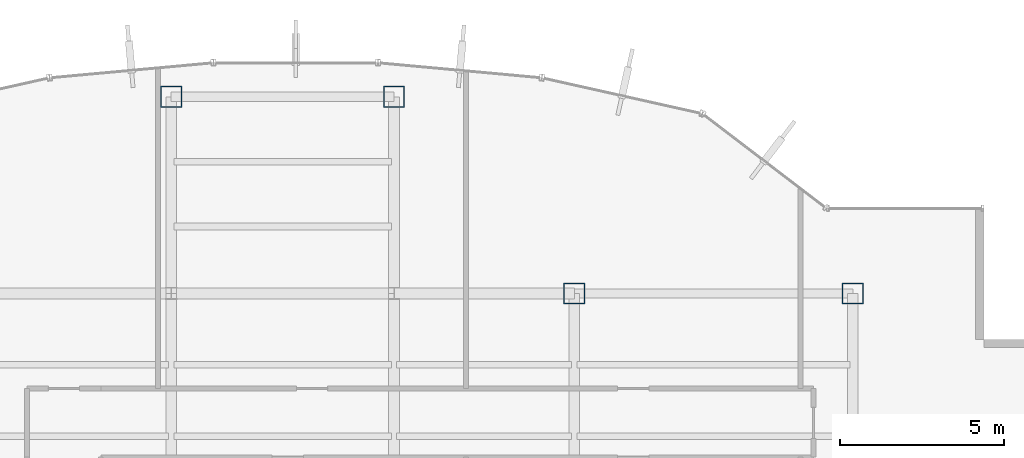
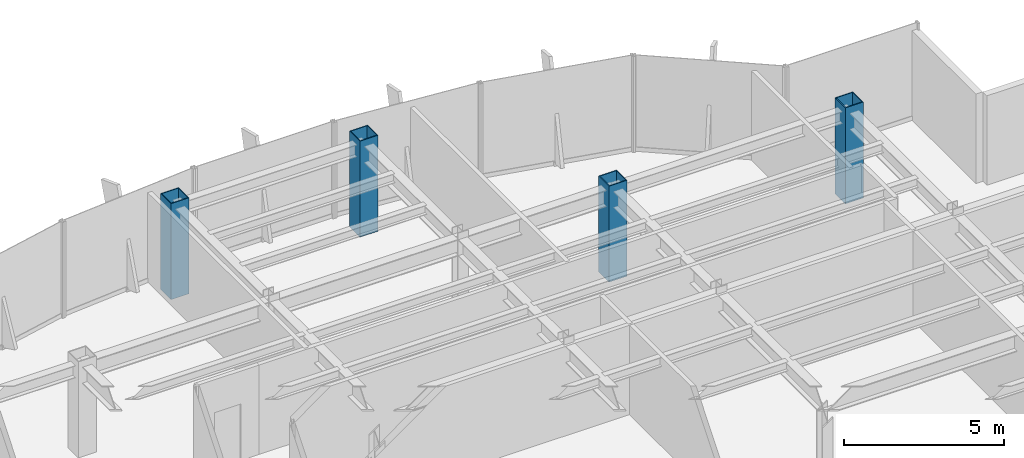
# One storey, part 2 of 25: 4 columns.
"""IFC4 building model written with IfcOpenShell, lengths in metres."""

from ifc_helpers import new_model, si_unit, derived_unit, direction, frame, origin, origin_2d, place, context, subcontext, project, spatial, hollow_rectangle, extrude, source, transform, mapped, material, material_profile, profile_set, type_object, element, save


model = new_model("IFC4")

# Units and contexts
model_context = context("Model", 3, precision=1e-05, world=origin(), true_north=direction((0.0, 1.0)))
body_context = subcontext(model_context, "Body", "Model", "MODEL_VIEW")
ifc_project = project(units=[si_unit("LENGTHUNIT", "METRE"), si_unit("AREAUNIT", "SQUARE_METRE"), si_unit("VOLUMEUNIT", "CUBIC_METRE"), si_unit("PLANEANGLEUNIT", "RADIAN"), si_unit("MASSUNIT", "GRAM", prefix="KILO"), derived_unit("THERMALTRANSMITTANCEUNIT", [(si_unit("POWERUNIT", "WATT"), 1), (si_unit("LENGTHUNIT", "METRE"), -2), (si_unit("THERMODYNAMICTEMPERATUREUNIT", "KELVIN"), -1)])], contexts=[model_context])

# Site, building, storey
site_placement = place(None, origin())
site = spatial("IfcSite", under=ifc_project, at=site_placement, CompositionType="ELEMENT")
building_placement = place(site_placement, origin())
building = spatial("IfcBuilding", under=site, at=building_placement, Name="Skarnbrae Concourse Arena and Tower", CompositionType="ELEMENT")
storey_placement = place(building_placement, frame((0.0, 0.0, 173.449951171875)))
storey = spatial("IfcBuildingStorey", under=building, at=storey_placement, Name="L44", CompositionType="ELEMENT", Elevation=173.449951171875)

# Columns
ifc_material = material(Name="Steel CSA G40.21 350W", Category="steel")
ifc_material_profile = material_profile(ifc_material, hollow_rectangle(XDim=0.64990234375, YDim=0.64990234375, WallThickness=0.031982421875, at=origin_2d()), Name="BOX650X650X32")
ifc_profile_set = profile_set([ifc_material_profile], Name="Steel CSA G40.21 350W")
column_type = type_object("IfcColumnType", Name="COL-TUBE-BOX650", PredefinedType="COLUMN", material=ifc_profile_set)
shared_shape = source(origin(), body_context, "Body", "SweptSolid", [
    extrude(hollow_rectangle(XDim=0.64990234375, YDim=0.64990234375, WallThickness=0.031982421875, at=origin_2d()), origin(), (0.0, 0.0, 1.0), 3.650146484375),
])
for number, where, z_axis, x_axis, name in (
    (1, (21.199951171875, 40.39990234375, 0.0), (0.0, 0.0, 1.0), (1.0, 0.0, 0.0), "L44 Tower column PC_04_06"),
    (2, (28.0, 40.39990234375, 0.0), (0.0, 0.0, 1.0), (1.0, 0.0, 0.0), "L44 Tower column PC_05_06"),
    (3, (33.5, 34.39990234375, 0.0), (0.0, 0.0, 1.0), (1.0, 0.0, 0.0), "L44 Tower column PC_06_05"),
    (4, (42.0, 34.39990234375, 0.0), (0.0, 0.0, 1.0), (1.0, 0.0, 0.0), "L44 Tower column PC_07_05"),
):
    element("IfcColumn", number, at=place(storey_placement, frame(where, z_axis=z_axis, x_axis=x_axis)), inside=storey, type_object=column_type, Name=name, PredefinedType="COLUMN", context=body_context, shape_type="MappedRepresentation", body=[
        mapped(shared_shape, transform((0.0, 0.0, 0.0))),
    ])

save(model, "model.ifc")
